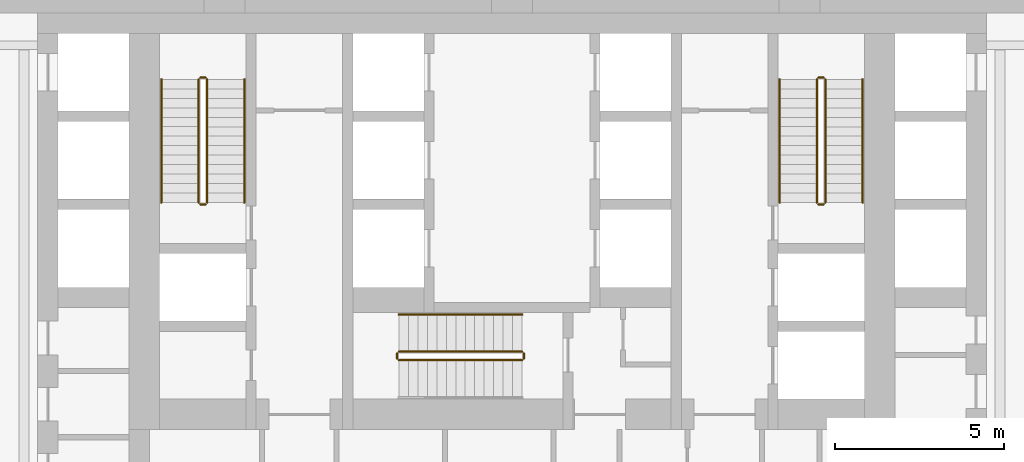
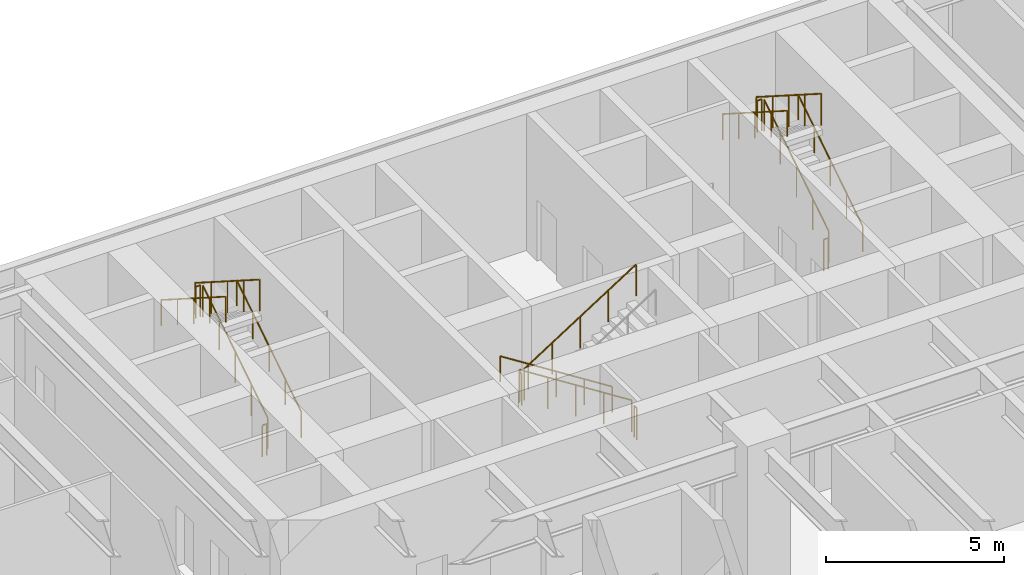
# One storey, part 30 of 31: 17 railings.
"""IFC4 building model written with IfcOpenShell, lengths in metres."""

from ifc_helpers import new_model, si_unit, direction, frame, origin, origin_2d, place, context, subcontext, project, spatial, circle, extrude, material, type_object, element, save


model = new_model("IFC4")

# Units and contexts
model_context = context("Model", 3, precision=1e-05, world=origin(), true_north=direction((0.0, 1.0)))
body_context = subcontext(model_context, "Body", "Model", "MODEL_VIEW")
ifc_project = project(units=[si_unit("LENGTHUNIT", "METRE"), si_unit("AREAUNIT", "SQUARE_METRE"), si_unit("VOLUMEUNIT", "CUBIC_METRE"), si_unit("PLANEANGLEUNIT", "RADIAN"), si_unit("MASSUNIT", "GRAM", prefix="KILO")], contexts=[model_context])

# Site, building, storey
site_placement = place(None, origin())
site = spatial("IfcSite", under=ifc_project, at=site_placement, CompositionType="ELEMENT")
building_placement = place(site_placement, origin())
building = spatial("IfcBuilding", under=site, at=building_placement, Name="Aloe Facet Convention Tower", CompositionType="ELEMENT")
storey_placement = place(building_placement, frame((0.0, 0.0, 25.0)))
storey = spatial("IfcBuildingStorey", under=building, at=storey_placement, Name="L04", CompositionType="ELEMENT", Elevation=25.0)

# Railings
ifc_material_1 = material(Name="Steel S355 balustrade", Category="steel")
railing_type_1 = type_object("IfcRailingType", Name="CR-RL-GUARD", PredefinedType="GUARDRAIL", material=ifc_material_1)
railing_1_placement = place(storey_placement, frame((71.0, 128.949951171875, 0.178466796875)))
element("IfcRailing", 1, at=railing_1_placement, inside=storey, type_object=railing_type_1, Name="L04 ST1 stair guard 1", PredefinedType="GUARDRAIL", context=body_context, shape_type="SweptSolid", body=[
    extrude(circle(Radius=0.02392578125, at=origin_2d()), frame((0.0, 0.0, 1.076171875), z_axis=(0.0, 0.843127859045, 0.537713132908), x_axis=(-1.0, 0.0, 0.0)), (0.0, 0.0, 1.0), 4.3173828125),
    extrude(circle(Radius=0.02099609375, at=origin_2d()), origin(), (0.0, 0.0, 1.0), 1.052001953125),
    extrude(circle(Radius=0.02099609375, at=origin_2d()), frame((0.0, 0.91015625, 0.580322265625)), (0.0, 0.0, 1.0), 1.052001953125),
    extrude(circle(Radius=0.02099609375, at=origin_2d()), frame((0.0, 1.820068359375, 1.16064453125)), (0.0, 0.0, 1.0), 1.052001953125),
    extrude(circle(Radius=0.02099609375, at=origin_2d()), frame((0.0, 2.72998046875, 1.7412109375)), (0.0, 0.0, 1.0), 1.052001953125),
    extrude(circle(Radius=0.02099609375, at=origin_2d()), frame((0.0, 3.64013671875, 2.321533203125)), (0.0, 0.0, 1.0), 1.052001953125),
])
railing_2_placement = place(storey_placement, frame((70.949951171875, 132.639892578125, 2.5)))
element("IfcRailing", 2, at=railing_2_placement, inside=storey, type_object=railing_type_1, Name="L04 ST1 stair guard 2", PredefinedType="GUARDRAIL", context=body_context, shape_type="SweptSolid", body=[
    extrude(circle(Radius=0.02392578125, at=origin_2d()), frame((0.0, 0.0, 1.076171875), z_axis=(-1.0, 0.0, 0.0), x_axis=(0.0, -1.0, 0.0)), (0.0, 0.0, 1.0), 0.14990234375),
    extrude(circle(Radius=0.02099609375, at=origin_2d()), origin(), (0.0, 0.0, 1.0), 1.052001953125),
    extrude(circle(Radius=0.02099609375, at=origin_2d()), frame((-0.14990234375, 0.0, 0.0)), (0.0, 0.0, 1.0), 1.052001953125),
])
railing_3_placement = place(storey_placement, frame((70.75, 132.590087890625, 2.678466796875)))
element("IfcRailing", 3, at=railing_3_placement, inside=storey, type_object=railing_type_1, Name="L04 ST1 stair guard 3", PredefinedType="GUARDRAIL", context=body_context, shape_type="SweptSolid", body=[
    extrude(circle(Radius=0.02392578125, at=origin_2d()), frame((0.0, 0.0, 1.076171875), z_axis=(0.0, -0.843127859045, 0.537713132908), x_axis=(1.0, 0.0, 0.0)), (0.0, 0.0, 1.0), 4.3173828125),
    extrude(circle(Radius=0.02099609375, at=origin_2d()), origin(), (0.0, 0.0, 1.0), 1.052001953125),
    extrude(circle(Radius=0.02099609375, at=origin_2d()), frame((0.0, -0.91015625, 0.580322265625)), (0.0, 0.0, 1.0), 1.052001953125),
    extrude(circle(Radius=0.02099609375, at=origin_2d()), frame((0.0, -1.820068359375, 1.16064453125)), (0.0, 0.0, 1.0), 1.052001953125),
    extrude(circle(Radius=0.02099609375, at=origin_2d()), frame((0.0, -2.72998046875, 1.7412109375)), (0.0, 0.0, 1.0), 1.052001953125),
    extrude(circle(Radius=0.02099609375, at=origin_2d()), frame((0.0, -3.64013671875, 2.321533203125)), (0.0, 0.0, 1.0), 1.052001953125),
])
railing_4_placement = place(storey_placement, frame((70.949951171875, 128.89990234375, 0.0)))
element("IfcRailing", 4, at=railing_4_placement, inside=storey, type_object=railing_type_1, Name="L04 ST1 stair guard 4", PredefinedType="GUARDRAIL", context=body_context, shape_type="SweptSolid", body=[
    extrude(circle(Radius=0.02392578125, at=origin_2d()), frame((0.0, 0.0, 1.076171875), z_axis=(-1.0, 0.0, 0.0), x_axis=(0.0, -1.0, 0.0)), (0.0, 0.0, 1.0), 0.14990234375),
    extrude(circle(Radius=0.02099609375, at=origin_2d()), origin(), (0.0, 0.0, 1.0), 1.052001953125),
    extrude(circle(Radius=0.02099609375, at=origin_2d()), frame((-0.14990234375, 0.0, 0.0)), (0.0, 0.0, 1.0), 1.052001953125),
])
railing_5_placement = place(storey_placement, frame((89.25, 128.949951171875, 0.178466796875)))
element("IfcRailing", 5, at=railing_5_placement, inside=storey, type_object=railing_type_1, Name="L04 ST2 stair guard 1", PredefinedType="GUARDRAIL", context=body_context, shape_type="SweptSolid", body=[
    extrude(circle(Radius=0.02392578125, at=origin_2d()), frame((0.0, 0.0, 1.076171875), z_axis=(0.0, 0.843127859045, 0.537713132908), x_axis=(-1.0, 0.0, 0.0)), (0.0, 0.0, 1.0), 4.3173828125),
    extrude(circle(Radius=0.02099609375, at=origin_2d()), origin(), (0.0, 0.0, 1.0), 1.052001953125),
    extrude(circle(Radius=0.02099609375, at=origin_2d()), frame((0.0, 0.91015625, 0.580322265625)), (0.0, 0.0, 1.0), 1.052001953125),
    extrude(circle(Radius=0.02099609375, at=origin_2d()), frame((0.0, 1.820068359375, 1.16064453125)), (0.0, 0.0, 1.0), 1.052001953125),
    extrude(circle(Radius=0.02099609375, at=origin_2d()), frame((0.0, 2.72998046875, 1.7412109375)), (0.0, 0.0, 1.0), 1.052001953125),
    extrude(circle(Radius=0.02099609375, at=origin_2d()), frame((0.0, 3.64013671875, 2.321533203125)), (0.0, 0.0, 1.0), 1.052001953125),
])
railing_6_placement = place(storey_placement, frame((89.199951171875, 132.639892578125, 2.5)))
element("IfcRailing", 6, at=railing_6_placement, inside=storey, type_object=railing_type_1, Name="L04 ST2 stair guard 2", PredefinedType="GUARDRAIL", context=body_context, shape_type="SweptSolid", body=[
    extrude(circle(Radius=0.02392578125, at=origin_2d()), frame((0.0, 0.0, 1.076171875), z_axis=(-1.0, 0.0, 0.0), x_axis=(0.0, -1.0, 0.0)), (0.0, 0.0, 1.0), 0.14990234375),
    extrude(circle(Radius=0.02099609375, at=origin_2d()), origin(), (0.0, 0.0, 1.0), 1.052001953125),
    extrude(circle(Radius=0.02099609375, at=origin_2d()), frame((-0.14990234375, 0.0, 0.0)), (0.0, 0.0, 1.0), 1.052001953125),
])
railing_7_placement = place(storey_placement, frame((89.0, 132.590087890625, 2.678466796875)))
element("IfcRailing", 7, at=railing_7_placement, inside=storey, type_object=railing_type_1, Name="L04 ST2 stair guard 3", PredefinedType="GUARDRAIL", context=body_context, shape_type="SweptSolid", body=[
    extrude(circle(Radius=0.02392578125, at=origin_2d()), frame((0.0, 0.0, 1.076171875), z_axis=(0.0, -0.843127859045, 0.537713132908), x_axis=(1.0, 0.0, 0.0)), (0.0, 0.0, 1.0), 4.3173828125),
    extrude(circle(Radius=0.02099609375, at=origin_2d()), origin(), (0.0, 0.0, 1.0), 1.052001953125),
    extrude(circle(Radius=0.02099609375, at=origin_2d()), frame((0.0, -0.91015625, 0.580322265625)), (0.0, 0.0, 1.0), 1.052001953125),
    extrude(circle(Radius=0.02099609375, at=origin_2d()), frame((0.0, -1.820068359375, 1.16064453125)), (0.0, 0.0, 1.0), 1.052001953125),
    extrude(circle(Radius=0.02099609375, at=origin_2d()), frame((0.0, -2.72998046875, 1.7412109375)), (0.0, 0.0, 1.0), 1.052001953125),
    extrude(circle(Radius=0.02099609375, at=origin_2d()), frame((0.0, -3.64013671875, 2.321533203125)), (0.0, 0.0, 1.0), 1.052001953125),
])
railing_8_placement = place(storey_placement, frame((89.199951171875, 128.89990234375, 0.0)))
element("IfcRailing", 8, at=railing_8_placement, inside=storey, type_object=railing_type_1, Name="L04 ST2 stair guard 4", PredefinedType="GUARDRAIL", context=body_context, shape_type="SweptSolid", body=[
    extrude(circle(Radius=0.02392578125, at=origin_2d()), frame((0.0, 0.0, 1.076171875), z_axis=(-1.0, 0.0, 0.0), x_axis=(0.0, -1.0, 0.0)), (0.0, 0.0, 1.0), 0.14990234375),
    extrude(circle(Radius=0.02099609375, at=origin_2d()), origin(), (0.0, 0.0, 1.0), 1.052001953125),
    extrude(circle(Radius=0.02099609375, at=origin_2d()), frame((-0.14990234375, 0.0, 0.0)), (0.0, 0.0, 1.0), 1.052001953125),
])
railing_9_placement = place(storey_placement, frame((80.300048828125, 124.550048828125, 0.178466796875)))
element("IfcRailing", 9, at=railing_9_placement, inside=storey, type_object=railing_type_1, Name="L04 ST3 stair guard 1", PredefinedType="GUARDRAIL", context=body_context, shape_type="SweptSolid", body=[
    extrude(circle(Radius=0.02392578125, at=origin_2d()), frame((0.0, 0.0, 1.076171875), z_axis=(-0.843127859045, 0.0, 0.537713132908), x_axis=(0.0, -1.0, 0.0)), (0.0, 0.0, 1.0), 4.3173828125),
    extrude(circle(Radius=0.02099609375, at=origin_2d()), origin(), (0.0, 0.0, 1.0), 1.052001953125),
    extrude(circle(Radius=0.02099609375, at=origin_2d()), frame((-0.91015625, 0.0, 0.580322265625)), (0.0, 0.0, 1.0), 1.052001953125),
    extrude(circle(Radius=0.02099609375, at=origin_2d()), frame((-1.820068359375, 0.0, 1.16064453125)), (0.0, 0.0, 1.0), 1.052001953125),
    extrude(circle(Radius=0.02099609375, at=origin_2d()), frame((-2.72998046875, 0.0, 1.7412109375)), (0.0, 0.0, 1.0), 1.052001953125),
    extrude(circle(Radius=0.02099609375, at=origin_2d()), frame((-3.64013671875, 0.0, 2.321533203125)), (0.0, 0.0, 1.0), 1.052001953125),
])
railing_10_placement = place(storey_placement, frame((76.610107421875, 124.5, 2.5)))
element("IfcRailing", 10, at=railing_10_placement, inside=storey, type_object=railing_type_1, Name="L04 ST3 stair guard 2", PredefinedType="GUARDRAIL", context=body_context, shape_type="SweptSolid", body=[
    extrude(circle(Radius=0.02392578125, at=origin_2d()), frame((0.0, 0.0, 1.076171875), z_axis=(0.0, -1.0, 0.0), x_axis=(1.0, 0.0, 0.0)), (0.0, 0.0, 1.0), 0.14990234375),
    extrude(circle(Radius=0.02099609375, at=origin_2d()), origin(), (0.0, 0.0, 1.0), 1.052001953125),
    extrude(circle(Radius=0.02099609375, at=origin_2d()), frame((0.0, -0.14990234375, 0.0)), (0.0, 0.0, 1.0), 1.052001953125),
])
railing_11_placement = place(storey_placement, frame((76.659912109375, 124.300048828125, 2.678466796875)))
element("IfcRailing", 11, at=railing_11_placement, inside=storey, type_object=railing_type_1, Name="L04 ST3 stair guard 3", PredefinedType="GUARDRAIL", context=body_context, shape_type="SweptSolid", body=[
    extrude(circle(Radius=0.02392578125, at=origin_2d()), frame((0.0, 0.0, 1.076171875), z_axis=(0.843127859045, 0.0, 0.537713132908), x_axis=(0.0, 1.0, 0.0)), (0.0, 0.0, 1.0), 4.3173828125),
    extrude(circle(Radius=0.02099609375, at=origin_2d()), origin(), (0.0, 0.0, 1.0), 1.052001953125),
    extrude(circle(Radius=0.02099609375, at=origin_2d()), frame((0.91015625, 0.0, 0.580322265625)), (0.0, 0.0, 1.0), 1.052001953125),
    extrude(circle(Radius=0.02099609375, at=origin_2d()), frame((1.820068359375, 0.0, 1.16064453125)), (0.0, 0.0, 1.0), 1.052001953125),
    extrude(circle(Radius=0.02099609375, at=origin_2d()), frame((2.72998046875, 0.0, 1.7412109375)), (0.0, 0.0, 1.0), 1.052001953125),
    extrude(circle(Radius=0.02099609375, at=origin_2d()), frame((3.64013671875, 0.0, 2.321533203125)), (0.0, 0.0, 1.0), 1.052001953125),
])
railing_12_placement = place(storey_placement, frame((80.35009765625, 124.5, 0.0)))
element("IfcRailing", 12, at=railing_12_placement, inside=storey, type_object=railing_type_1, Name="L04 ST3 stair guard 4", PredefinedType="GUARDRAIL", context=body_context, shape_type="SweptSolid", body=[
    extrude(circle(Radius=0.02392578125, at=origin_2d()), frame((0.0, 0.0, 1.076171875), z_axis=(0.0, -1.0, 0.0), x_axis=(1.0, 0.0, 0.0)), (0.0, 0.0, 1.0), 0.14990234375),
    extrude(circle(Radius=0.02099609375, at=origin_2d()), origin(), (0.0, 0.0, 1.0), 1.052001953125),
    extrude(circle(Radius=0.02099609375, at=origin_2d()), frame((0.0, -0.14990234375, 0.0)), (0.0, 0.0, 1.0), 1.052001953125),
])
ifc_material_2 = material(Name="Steel S355 handrail", Category="steel")
railing_type_2 = type_object("IfcRailingType", Name="CR-RL-HAND", PredefinedType="HANDRAIL", material=ifc_material_2)
railing_13_placement = place(storey_placement, frame((72.10009765625, 128.949951171875, 0.178466796875)))
element("IfcRailing", 13, at=railing_13_placement, inside=storey, type_object=railing_type_2, Name="L04 ST1 stair handrail 1", PredefinedType="HANDRAIL", context=body_context, shape_type="SweptSolid", body=[
    extrude(circle(Radius=0.02392578125, at=origin_2d()), frame((0.0, 0.0, 0.8759765625), z_axis=(0.0, 0.843127859045, 0.537713132908), x_axis=(-1.0, 0.0, 0.0)), (0.0, 0.0, 1.0), 4.3173828125),
    extrude(circle(Radius=0.02099609375, at=origin_2d()), origin(), (0.0, 0.0, 1.0), 0.851806640625),
    extrude(circle(Radius=0.02099609375, at=origin_2d()), frame((0.0, 0.91015625, 0.580322265625)), (0.0, 0.0, 1.0), 0.851806640625),
    extrude(circle(Radius=0.02099609375, at=origin_2d()), frame((0.0, 1.820068359375, 1.16064453125)), (0.0, 0.0, 1.0), 0.851806640625),
    extrude(circle(Radius=0.02099609375, at=origin_2d()), frame((0.0, 2.72998046875, 1.7412109375)), (0.0, 0.0, 1.0), 0.851806640625),
    extrude(circle(Radius=0.02099609375, at=origin_2d()), frame((0.0, 3.64013671875, 2.321533203125)), (0.0, 0.0, 1.0), 0.851806640625),
])
railing_14_placement = place(storey_placement, frame((69.64990234375, 132.590087890625, 2.678466796875)))
element("IfcRailing", 14, at=railing_14_placement, inside=storey, type_object=railing_type_2, Name="L04 ST1 stair handrail 2", PredefinedType="HANDRAIL", context=body_context, shape_type="SweptSolid", body=[
    extrude(circle(Radius=0.02392578125, at=origin_2d()), frame((0.0, 0.0, 0.8759765625), z_axis=(0.0, -0.843127859045, 0.537713132908), x_axis=(1.0, 0.0, 0.0)), (0.0, 0.0, 1.0), 4.3173828125),
    extrude(circle(Radius=0.02099609375, at=origin_2d()), origin(), (0.0, 0.0, 1.0), 0.851806640625),
    extrude(circle(Radius=0.02099609375, at=origin_2d()), frame((0.0, -0.91015625, 0.580322265625)), (0.0, 0.0, 1.0), 0.851806640625),
    extrude(circle(Radius=0.02099609375, at=origin_2d()), frame((0.0, -1.820068359375, 1.16064453125)), (0.0, 0.0, 1.0), 0.851806640625),
    extrude(circle(Radius=0.02099609375, at=origin_2d()), frame((0.0, -2.72998046875, 1.7412109375)), (0.0, 0.0, 1.0), 0.851806640625),
    extrude(circle(Radius=0.02099609375, at=origin_2d()), frame((0.0, -3.64013671875, 2.321533203125)), (0.0, 0.0, 1.0), 0.851806640625),
])
railing_15_placement = place(storey_placement, frame((90.35009765625, 128.949951171875, 0.178466796875)))
element("IfcRailing", 15, at=railing_15_placement, inside=storey, type_object=railing_type_2, Name="L04 ST2 stair handrail 1", PredefinedType="HANDRAIL", context=body_context, shape_type="SweptSolid", body=[
    extrude(circle(Radius=0.02392578125, at=origin_2d()), frame((0.0, 0.0, 0.8759765625), z_axis=(0.0, 0.843127859045, 0.537713132908), x_axis=(-1.0, 0.0, 0.0)), (0.0, 0.0, 1.0), 4.3173828125),
    extrude(circle(Radius=0.02099609375, at=origin_2d()), origin(), (0.0, 0.0, 1.0), 0.851806640625),
    extrude(circle(Radius=0.02099609375, at=origin_2d()), frame((0.0, 0.91015625, 0.580322265625)), (0.0, 0.0, 1.0), 0.851806640625),
    extrude(circle(Radius=0.02099609375, at=origin_2d()), frame((0.0, 1.820068359375, 1.16064453125)), (0.0, 0.0, 1.0), 0.851806640625),
    extrude(circle(Radius=0.02099609375, at=origin_2d()), frame((0.0, 2.72998046875, 1.7412109375)), (0.0, 0.0, 1.0), 0.851806640625),
    extrude(circle(Radius=0.02099609375, at=origin_2d()), frame((0.0, 3.64013671875, 2.321533203125)), (0.0, 0.0, 1.0), 0.851806640625),
])
railing_16_placement = place(storey_placement, frame((87.89990234375, 132.590087890625, 2.678466796875)))
element("IfcRailing", 16, at=railing_16_placement, inside=storey, type_object=railing_type_2, Name="L04 ST2 stair handrail 2", PredefinedType="HANDRAIL", context=body_context, shape_type="SweptSolid", body=[
    extrude(circle(Radius=0.02392578125, at=origin_2d()), frame((0.0, 0.0, 0.8759765625), z_axis=(0.0, -0.843127859045, 0.537713132908), x_axis=(1.0, 0.0, 0.0)), (0.0, 0.0, 1.0), 4.3173828125),
    extrude(circle(Radius=0.02099609375, at=origin_2d()), origin(), (0.0, 0.0, 1.0), 0.851806640625),
    extrude(circle(Radius=0.02099609375, at=origin_2d()), frame((0.0, -0.91015625, 0.580322265625)), (0.0, 0.0, 1.0), 0.851806640625),
    extrude(circle(Radius=0.02099609375, at=origin_2d()), frame((0.0, -1.820068359375, 1.16064453125)), (0.0, 0.0, 1.0), 0.851806640625),
    extrude(circle(Radius=0.02099609375, at=origin_2d()), frame((0.0, -2.72998046875, 1.7412109375)), (0.0, 0.0, 1.0), 0.851806640625),
    extrude(circle(Radius=0.02099609375, at=origin_2d()), frame((0.0, -3.64013671875, 2.321533203125)), (0.0, 0.0, 1.0), 0.851806640625),
])
railing_17_placement = place(storey_placement, frame((80.300048828125, 125.64990234375, 0.178466796875)))
element("IfcRailing", 17, at=railing_17_placement, inside=storey, type_object=railing_type_2, Name="L04 ST3 stair handrail 1", PredefinedType="HANDRAIL", context=body_context, shape_type="SweptSolid", body=[
    extrude(circle(Radius=0.02392578125, at=origin_2d()), frame((0.0, 0.0, 0.8759765625), z_axis=(-0.843127859045, 0.0, 0.537713132908), x_axis=(0.0, -1.0, 0.0)), (0.0, 0.0, 1.0), 4.3173828125),
    extrude(circle(Radius=0.02099609375, at=origin_2d()), origin(), (0.0, 0.0, 1.0), 0.851806640625),
    extrude(circle(Radius=0.02099609375, at=origin_2d()), frame((-0.91015625, 0.0, 0.580322265625)), (0.0, 0.0, 1.0), 0.851806640625),
    extrude(circle(Radius=0.02099609375, at=origin_2d()), frame((-1.820068359375, 0.0, 1.16064453125)), (0.0, 0.0, 1.0), 0.851806640625),
    extrude(circle(Radius=0.02099609375, at=origin_2d()), frame((-2.72998046875, 0.0, 1.7412109375)), (0.0, 0.0, 1.0), 0.851806640625),
    extrude(circle(Radius=0.02099609375, at=origin_2d()), frame((-3.64013671875, 0.0, 2.321533203125)), (0.0, 0.0, 1.0), 0.851806640625),
])

save(model, "model.ifc")
